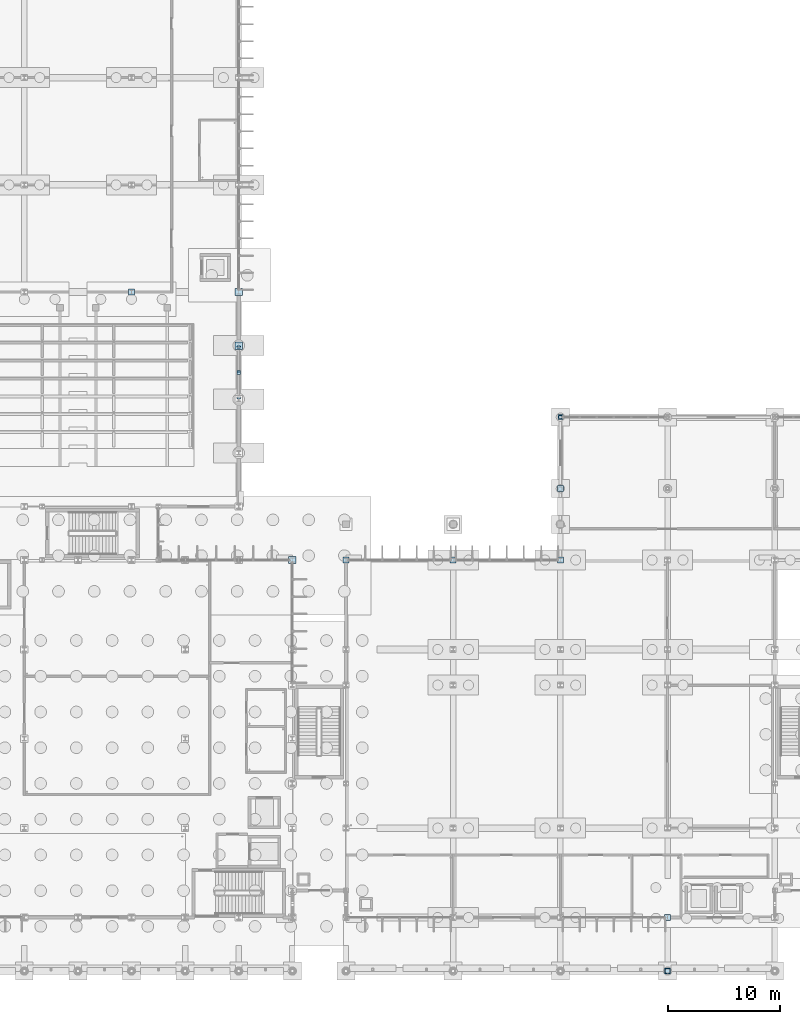
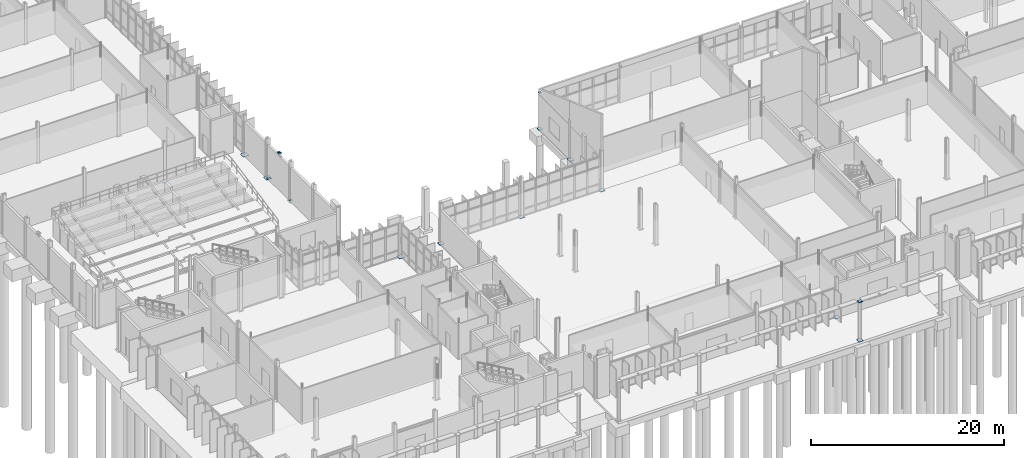
# One storey, part 53 of 111: 17 plates.
"""IFC4 building model written with IfcOpenShell, lengths in metres."""

from ifc_helpers import new_model, si_unit, direction, frame, origin, origin_2d, place, context, subcontext, project, spatial, rectangle, extrude, material, layer, layer_set, type_object, element, save


model = new_model("IFC4")

# Units and contexts
model_context = context("Model", 3, precision=1e-05, world=origin(), true_north=direction((0.0, 1.0)))
body_context = subcontext(model_context, "Body", "Model", "MODEL_VIEW")
ifc_project = project(units=[si_unit("LENGTHUNIT", "METRE"), si_unit("AREAUNIT", "SQUARE_METRE"), si_unit("VOLUMEUNIT", "CUBIC_METRE"), si_unit("PLANEANGLEUNIT", "RADIAN"), si_unit("MASSUNIT", "GRAM", prefix="KILO")], contexts=[model_context])

# Site, building, storey
site_placement = place(None, origin())
site = spatial("IfcSite", under=ifc_project, at=site_placement, CompositionType="ELEMENT")
building_placement = place(site_placement, origin())
building = spatial("IfcBuilding", under=site, at=building_placement, Name="Dunescarp Central Library", CompositionType="ELEMENT")
storey_placement = place(building_placement, origin())
storey = spatial("IfcBuildingStorey", under=building, at=storey_placement, Name="L00", CompositionType="ELEMENT", Elevation=0.0)

# Plates
ifc_material = material(Name="Steel S355J0", Category="steel")
ifc_layer_1 = layer(ifc_material, 0.0380859375)
ifc_layer_set_1 = layer_set([ifc_layer_1], Name="Steel S355J0")
plate_type_1 = type_object("IfcPlateType", Name="STR-PLT-BP01", PredefinedType="USERDEFINED", material=ifc_layer_set_1)
for number, where, z_axis, x_axis, name in (
    (1, (33.60009765625, 36.800048828125, -0.033935546875), (0.0, 0.0, 1.0), (1.0, 0.0, 0.0), "Column base plate BPL-016"),
    (2, (28.800048828125, 56.0, -0.033935546875), (0.0, 0.0, 1.0), (1.0, 0.0, 0.0), "Column base plate BPL-113"),
    (3, (28.800048828125, 60.800048828125, -0.033935546875), (0.0, 0.0, 1.0), (1.0, 0.0, 0.0), "Column base plate BPL-114"),
):
    element("IfcPlate", number, at=place(storey_placement, frame(where, z_axis=z_axis, x_axis=x_axis)), inside=storey, type_object=plate_type_1, Name=name, ObjectType="BASE_PLATE", PredefinedType="USERDEFINED", context=body_context, shape_type="SweptSolid", body=[
        extrude(rectangle(XDim=0.64990234375, YDim=0.64990234375, at=origin_2d()), origin(), (0.0, 0.0, 1.0), 0.0380859375),
    ])
ifc_layer_2 = layer(ifc_material, 0.031982421875)
ifc_layer_set_2 = layer_set([ifc_layer_2], Name="Steel S355J0")
plate_type_2 = type_object("IfcPlateType", Name="STR-PLT-BP02", PredefinedType="USERDEFINED", material=ifc_layer_set_2)
for number, where, z_axis, x_axis, name in (
    (4, (38.39990234375, 36.800048828125, -0.03076171875), (0.0, 0.0, 1.0), (1.0, 0.0, 0.0), "Column base plate BPL-035"),
    (5, (48.0, 36.800048828125, -0.03076171875), (0.0, 0.0, 1.0), (1.0, 0.0, 0.0), "Column base plate BPL-039"),
    (6, (57.60009765625, 36.800048828125, -0.03076171875), (0.0, 0.0, 1.0), (1.0, 0.0, 0.0), "Column base plate BPL-043"),
    (7, (67.199951171875, 4.800048828125, -0.03076171875), (0.0, 0.0, 1.0), (1.0, 0.0, 0.0), "Column base plate BPL-044"),
    (8, (19.199951171875, 60.800048828125, -0.03076171875), (0.0, 0.0, 1.0), (1.0, 0.0, 0.0), "Column base plate BPL-118"),
    (9, (67.199951171875, 0.0, -0.03076171875), (0.0, 0.0, 1.0), (1.0, 0.0, 0.0), "Column base plate BPL-179"),
    (10, (57.60009765625, 43.199951171875, -0.03076171875), (0.0, 0.0, 1.0), (1.0, 0.0, 0.0), "Column base plate BPL-192"),
):
    element("IfcPlate", number, at=place(storey_placement, frame(where, z_axis=z_axis, x_axis=x_axis)), inside=storey, type_object=plate_type_2, Name=name, ObjectType="BASE_PLATE", PredefinedType="USERDEFINED", context=body_context, shape_type="SweptSolid", body=[
        extrude(rectangle(XDim=0.550048828125, YDim=0.550048828125, at=origin_2d()), origin(), (0.0, 0.0, 1.0), 0.031982421875),
    ])
ifc_layer_3 = layer(ifc_material, 0.028076171875)
ifc_layer_set_3 = layer_set([ifc_layer_3], Name="Steel S355J0")
plate_type_3 = type_object("IfcPlateType", Name="STR-PLT-BP03", PredefinedType="USERDEFINED", material=ifc_layer_set_3)
plate_1_placement = place(storey_placement, frame((57.60009765625, 49.60009765625, -0.02880859375), z_axis=(0.0, 0.0, 1.0), x_axis=(1.0, 0.0, 0.0)))
element("IfcPlate", 11, at=plate_1_placement, inside=storey, type_object=plate_type_3, Name="Column base plate BPL-193", ObjectType="BASE_PLATE", PredefinedType="USERDEFINED", context=body_context, shape_type="SweptSolid", body=[
    extrude(rectangle(XDim=0.449951171875, YDim=0.449951171875, at=origin_2d()), origin(), (0.0, 0.0, 1.0), 0.028076171875),
])
ifc_layer_4 = layer(ifc_material, 0.035888671875)
ifc_layer_set_4 = layer_set([ifc_layer_4], Name="Steel S355J0")
plate_type_4 = type_object("IfcPlateType", Name="STR-PLT-ECP1", PredefinedType="USERDEFINED", material=ifc_layer_set_4)
plate_2_placement = place(storey_placement, frame((67.199951171875, 0.0, 4.904296875), z_axis=(0.0, 0.0, 1.0), x_axis=(1.0, 0.0, 0.0)))
element("IfcPlate", 12, at=plate_2_placement, inside=storey, type_object=plate_type_4, Name="Column top cap plate ECP-C012", ObjectType="GUSSET_PLATE", PredefinedType="USERDEFINED", context=body_context, shape_type="SweptSolid", body=[
    extrude(rectangle(XDim=0.416015625, YDim=0.416015625, at=origin_2d()), origin(), (0.0, 0.0, 1.0), 0.035888671875),
])
plate_3_placement = place(storey_placement, frame((57.60009765625, 49.60009765625, 4.580078125), z_axis=(0.0, 0.0, 1.0), x_axis=(1.0, 0.0, 0.0)))
element("IfcPlate", 13, at=plate_3_placement, inside=storey, type_object=plate_type_4, Name="Column top cap plate ECP-C026", ObjectType="GUSSET_PLATE", PredefinedType="USERDEFINED", context=body_context, shape_type="SweptSolid", body=[
    extrude(rectangle(XDim=0.260009765625, YDim=0.260009765625, at=origin_2d()), origin(), (0.0, 0.0, 1.0), 0.035888671875),
])
ifc_layer_5 = layer(ifc_material, 0.02001953125)
ifc_layer_set_5 = layer_set([ifc_layer_5], Name="Steel S355J0")
plate_type_5 = type_object("IfcPlateType", Name="STR-PLT-GUS1", PredefinedType="USERDEFINED", material=ifc_layer_set_5)
for number, where, z_axis, x_axis, name in (
    (14, (28.800048828125, 51.320068359375, 0.02685546875), (0.0, 0.0, 1.0), (1.0, 0.0, 0.0), "Brace foot gusset plate GP-109"),
    (15, (28.800048828125, 55.8798828125, 0.02685546875), (0.0, 0.0, 1.0), (1.0, 0.0, 0.0), "Brace foot gusset plate GP-111"),
):
    element("IfcPlate", number, at=place(storey_placement, frame(where, z_axis=z_axis, x_axis=x_axis)), inside=storey, type_object=plate_type_5, Name=name, ObjectType="GUSSET_PLATE", PredefinedType="USERDEFINED", context=body_context, shape_type="SweptSolid", body=[
        extrude(rectangle(XDim=0.31005859375, YDim=0.2099609375, at=origin_2d()), origin(), (0.0, 0.0, 1.0), 0.035888671875),
    ])
ifc_layer_6 = layer(ifc_material, 0.01611328125)
ifc_layer_set_6 = layer_set([ifc_layer_6], Name="Steel S355J0")
plate_type_6 = type_object("IfcPlateType", Name="STR-PLT-GUS2", PredefinedType="USERDEFINED", material=ifc_layer_set_6)
for number, where, z_axis, x_axis, name in (
    (16, (28.800048828125, 53.52001953125, 4.6220703125), (0.0, 0.0, 1.0), (1.0, 0.0, 0.0), "Brace apex gusset plate GP-110"),
    (17, (28.800048828125, 53.679931640625, 4.6220703125), (0.0, 0.0, 1.0), (1.0, 0.0, 0.0), "Brace apex gusset plate GP-112"),
):
    element("IfcPlate", number, at=place(storey_placement, frame(where, z_axis=z_axis, x_axis=x_axis)), inside=storey, type_object=plate_type_6, Name=name, ObjectType="GUSSET_PLATE", PredefinedType="USERDEFINED", context=body_context, shape_type="SweptSolid", body=[
        extrude(rectangle(XDim=0.31005859375, YDim=0.2099609375, at=origin_2d()), origin(), (0.0, 0.0, 1.0), 0.035888671875),
    ])

save(model, "model.ifc")
